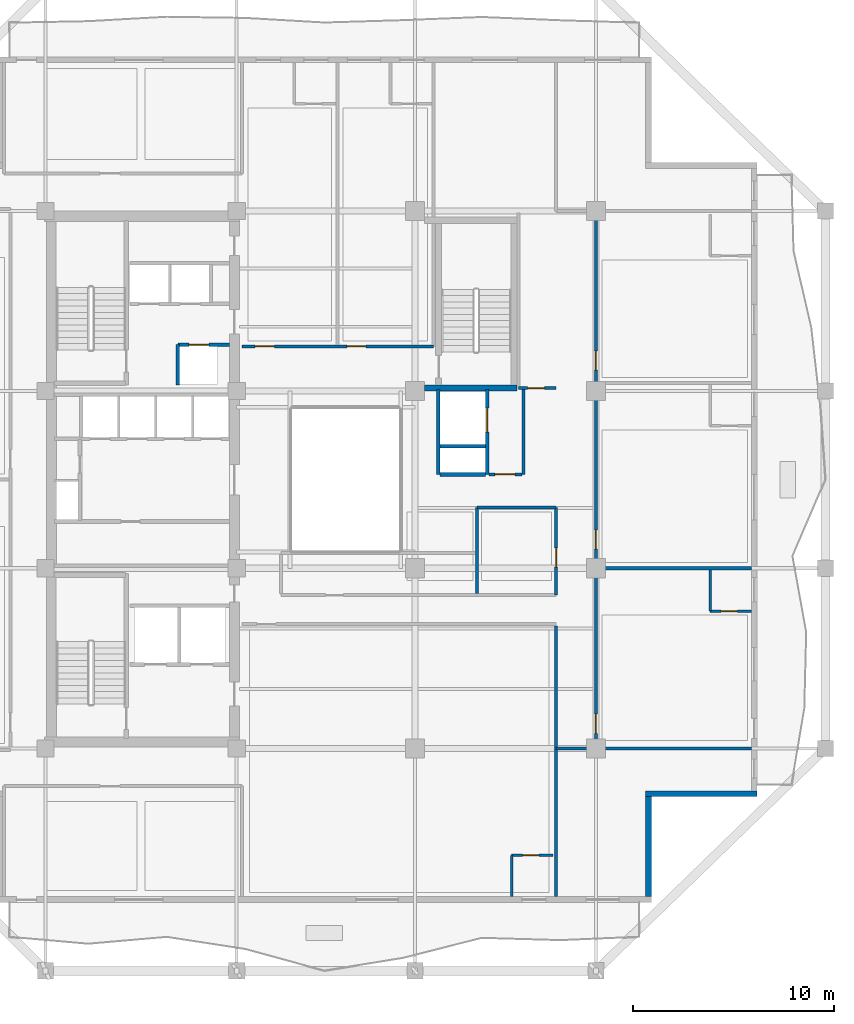
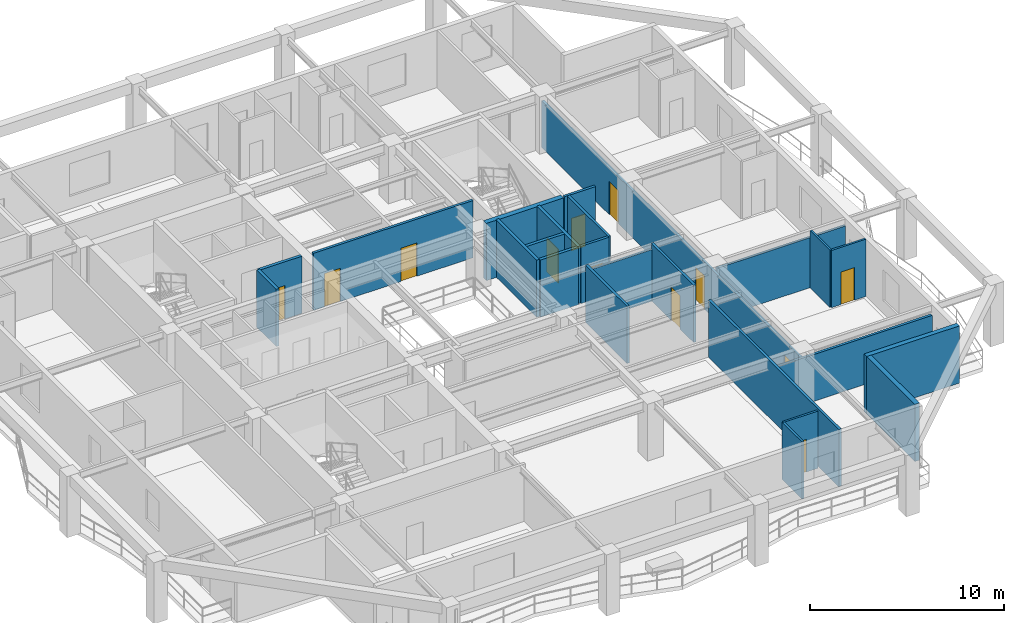
# One storey, part 4 of 12: 24 walls, 12 doors, 12 openings.
"""IFC4 building model written with IfcOpenShell, lengths in metres."""

from ifc_helpers import new_model, si_unit, direction, frame, frame_2d, origin, place, context, subcontext, project, spatial, rectangle, extrude, material, layer, layer_set, type_object, element, fill, save


model = new_model("IFC4")

# Units and contexts
model_context = context("Model", 3, precision=1e-05, world=origin(), true_north=direction((0.0, 1.0)))
body_context = subcontext(model_context, "Body", "Model", "MODEL_VIEW")
ifc_project = project(units=[si_unit("LENGTHUNIT", "METRE"), si_unit("AREAUNIT", "SQUARE_METRE"), si_unit("VOLUMEUNIT", "CUBIC_METRE"), si_unit("PLANEANGLEUNIT", "RADIAN"), si_unit("MASSUNIT", "GRAM", prefix="KILO")], contexts=[model_context])

# Site, building, storey
site_placement = place(None, origin())
site = spatial("IfcSite", under=ifc_project, at=site_placement, CompositionType="ELEMENT")
building_placement = place(site_placement, origin())
building = spatial("IfcBuilding", under=site, at=building_placement, Name="Kundavana Baori Tower", CompositionType="ELEMENT")
storey_placement = place(building_placement, frame((0.0, 0.0, 196.39990234375)))
storey = spatial("IfcBuildingStorey", under=building, at=storey_placement, Name="L48", CompositionType="ELEMENT", Elevation=196.39990234375)

# Walls
ifc_material_1 = material(Name="Red-Buff Dholpur Sandstone Cladding on Concrete C40/50", Category="masonry")
ifc_layer_1 = layer(ifc_material_1, 0.280029296875, Name="WL-EXT-SAND-280")
ifc_layer_set_1 = layer_set([ifc_layer_1], Name="Red-Buff Dholpur Sandstone Cladding on Concrete C40/50")
wall_type_1 = type_object("IfcWallType", Name="WL-EXT-SAND-280", PredefinedType="STANDARD", material=ifc_layer_set_1)
wall_1_placement = place(storey_placement, frame((45.409912109375, 7.8798828125, 0.0), z_axis=(0.0, 0.0, 1.0), x_axis=(0.0, 1.0, 0.0)))
element("IfcWall", 1, at=wall_1_placement, inside=storey, type_object=wall_type_1, Name="L48 Exterior Insulated Facade Wall 02", PredefinedType="STANDARD", context=body_context, shape_type="SweptSolid", body=[
    extrude(rectangle(XDim=4.97021484375, YDim=0.280029296875, at=frame_2d((2.485107421875, 0.0))), origin(), (0.0, 0.0, 1.0), 3.60009765625),
])
wall_2_placement = place(storey_placement, frame((45.27001953125, 12.989990234375, 0.0), z_axis=(0.0, 0.0, 1.0), x_axis=(1.0, 0.0, 0.0)))
element("IfcWall", 2, at=wall_2_placement, inside=storey, type_object=wall_type_1, Name="L48 Exterior Insulated Facade Wall 03", PredefinedType="STANDARD", context=body_context, shape_type="SweptSolid", body=[
    extrude(rectangle(XDim=5.530029296875, YDim=0.280029296875, at=frame_2d((2.76513671875, 0.0))), origin(), (0.0, 0.0, 1.0), 3.60009765625),
])
ifc_material_2 = material(Name="Fire-Rated Gypsum Drywall on Galvanised Steel Studs", Category="steel")
ifc_layer_2 = layer(ifc_material_2, 0.14990234375, Name="WL-PART-150")
ifc_layer_set_2 = layer_set([ifc_layer_2], Name="Fire-Rated Gypsum Drywall on Galvanised Steel Studs")
wall_type_2 = type_object("IfcWallType", Name="WL-PART-150", PredefinedType="PARTITIONING", material=ifc_layer_set_2)
wall_3_placement = place(storey_placement, frame((39.199951171875, 28.860107421875, 0.0), z_axis=(0.0, 0.0, 1.0), x_axis=(0.0, 1.0, 0.0)))
element("IfcWall", 3, at=wall_3_placement, inside=storey, type_object=wall_type_2, Name="WL-L48-SVLOB-E", PredefinedType="PARTITIONING", context=body_context, shape_type="SweptSolid", body=[
    extrude(rectangle(XDim=4.219970703125, YDim=0.14990234375, at=frame_2d((2.10986328125, 0.0))), origin(), (0.0, 0.0, 1.0), 3.60009765625),
])

# Wall, opening, door
wall_4_placement = place(storey_placement, frame((37.47998046875, 28.860107421875, 0.0), z_axis=(0.0, 0.0, 1.0), x_axis=(1.0, 0.0, 0.0)))
wall_4 = element("IfcWall", 4, at=wall_4_placement, inside=storey, type_object=wall_type_2, Name="WL-L48-SVLOB-S", PredefinedType="PARTITIONING", context=body_context, shape_type="SweptSolid", body=[
    extrude(rectangle(XDim=1.64013671875, YDim=0.14990234375, at=frame_2d((0.820068359375, 0.0))), origin(), (0.0, 0.0, 1.0), 3.60009765625),
])
opening_1_placement = place(wall_4_placement, frame((0.300048828125, 0.0, 0.0)))
opening_1 = element("IfcOpeningElement", 5, at=opening_1_placement, cuts=wall_4, Name="Opening FD-100", PredefinedType="OPENING", context=body_context, shape_type="SweptSolid", body=[
    extrude(rectangle(XDim=1.0, YDim=2.10009765625, at=frame_2d((0.5, 1.050048828125))), frame((0.0, 0.0849609375, 0.0), z_axis=(0.0, -1.0, 0.0), x_axis=(1.0, 0.0, 0.0)), (0.0, 0.0, 1.0), 0.169921875),
])
ifc_material_3 = material(Name="Engineered Teak Fire-Rated Timber Door Leaf", Category="wood")
door_type_1 = type_object("IfcDoorType", Name="DR-FD60-1000", OperationType="NOTDEFINED", PredefinedType="DOOR", material=ifc_material_3)
door_1_placement = place(opening_1_placement, origin())
door_1 = element("IfcDoor", 6, at=door_1_placement, inside=storey, type_object=door_type_1, Name="DR-L48-SVLOB-OUT", OperationType="SINGLE_SWING_LEFT", OverallHeight=2.10009765625, OverallWidth=1.0, PredefinedType="DOOR", context=body_context, shape_type="SweptSolid", body=[
    extrude(rectangle(XDim=1.0, YDim=2.10009765625, at=frame_2d((0.5, 1.050048828125))), frame((0.0, 0.02490234375, 0.0), z_axis=(0.0, -1.0, 0.0), x_axis=(1.0, 0.0, 0.0)), (0.0, 0.0, 1.0), 0.050048828125),
])
fill(opening_1, door_1)

# Wall, openings, doors
wall_5_placement = place(storey_placement, frame((25.219970703125, 35.219970703125, 0.0), z_axis=(0.0, 0.0, 1.0), x_axis=(1.0, 0.0, 0.0)))
wall_5 = element("IfcWall", 7, at=wall_5_placement, inside=storey, type_object=wall_type_2, Name="WL-L48-HN", PredefinedType="PARTITIONING", context=body_context, shape_type="SweptSolid", body=[
    extrude(rectangle(XDim=9.5, YDim=0.14990234375, at=frame_2d((4.75, 0.0))), origin(), (0.0, 0.0, 1.0), 3.60009765625),
])
opening_2_placement = place(wall_5_placement, frame((0.64990234375, 0.0, 0.0)))
opening_2 = element("IfcOpeningElement", 8, at=opening_2_placement, cuts=wall_5, Name="Opening FD-095", PredefinedType="OPENING", context=body_context, shape_type="SweptSolid", body=[
    extrude(rectangle(XDim=0.949951171875, YDim=2.10009765625, at=frame_2d((0.47509765625, 1.050048828125))), frame((0.0, 0.0849609375, 0.0), z_axis=(0.0, -1.0, 0.0), x_axis=(1.0, 0.0, 0.0)), (0.0, 0.0, 1.0), 0.169921875),
])
opening_3_placement = place(wall_5_placement, frame((5.199951171875, 0.0, 0.0)))
opening_3 = element("IfcOpeningElement", 9, at=opening_3_placement, cuts=wall_5, Name="Opening FD-095", PredefinedType="OPENING", context=body_context, shape_type="SweptSolid", body=[
    extrude(rectangle(XDim=0.949951171875, YDim=2.10009765625, at=frame_2d((0.47509765625, 1.050048828125))), frame((0.0, 0.0849609375, 0.0), z_axis=(0.0, -1.0, 0.0), x_axis=(1.0, 0.0, 0.0)), (0.0, 0.0, 1.0), 0.169921875),
])
ifc_material_4 = material(Name="Engineered Teak Fire-Rated Timber Door Leaf", Category="wood")
door_type_2 = type_object("IfcDoorType", Name="DR-FD60-950", OperationType="NOTDEFINED", PredefinedType="DOOR", material=ifc_material_4)
door_2_placement = place(opening_2_placement, origin())
door_2 = element("IfcDoor", 10, at=door_2_placement, inside=storey, type_object=door_type_2, Name="DR-L48-HK-N1-ENT", OperationType="SINGLE_SWING_LEFT", OverallHeight=2.10009765625, OverallWidth=0.949951171875, PredefinedType="DOOR", context=body_context, shape_type="SweptSolid", body=[
    extrude(rectangle(XDim=0.949951171875, YDim=2.10009765625, at=frame_2d((0.47509765625, 1.050048828125))), frame((0.0, 0.02490234375, 0.0), z_axis=(0.0, -1.0, 0.0), x_axis=(1.0, 0.0, 0.0)), (0.0, 0.0, 1.0), 0.050048828125),
])
fill(opening_2, door_2)
door_3_placement = place(opening_3_placement, origin())
door_3 = element("IfcDoor", 11, at=door_3_placement, inside=storey, type_object=door_type_2, Name="DR-L48-HK-N2-ENT", OperationType="SINGLE_SWING_RIGHT", OverallHeight=2.10009765625, OverallWidth=0.949951171875, PredefinedType="DOOR", context=body_context, shape_type="SweptSolid", body=[
    extrude(rectangle(XDim=0.949951171875, YDim=2.10009765625, at=frame_2d((0.47509765625, 1.050048828125))), frame((0.0, 0.02490234375, 0.0), z_axis=(0.0, -1.0, 0.0), x_axis=(1.0, 0.0, 0.0)), (0.0, 0.0, 1.0), 0.050048828125),
])
fill(opening_3, door_3)

wall_6_placement = place(storey_placement, frame((42.800048828125, 15.25, 0.0), z_axis=(0.0, 0.0, 1.0), x_axis=(0.0, 1.0, 0.0)))
wall_6 = element("IfcWall", 12, at=wall_6_placement, inside=storey, type_object=wall_type_2, Name="WL-L48-HE", PredefinedType="PARTITIONING", context=body_context, shape_type="SweptSolid", body=[
    extrude(rectangle(XDim=26.699951171875, YDim=0.14990234375, at=frame_2d((13.35009765625, 0.0))), origin(), (0.0, 0.0, 1.0), 2.9501953125),
])
opening_4_placement = place(wall_6_placement, frame((0.75, 0.0, 0.0)))
opening_4 = element("IfcOpeningElement", 13, at=opening_4_placement, cuts=wall_6, Name="Opening FD-095", PredefinedType="OPENING", context=body_context, shape_type="SweptSolid", body=[
    extrude(rectangle(XDim=0.949951171875, YDim=2.10009765625, at=frame_2d((0.47509765625, 1.050048828125))), frame((0.0, 0.0849609375, 0.0), z_axis=(0.0, -1.0, 0.0), x_axis=(1.0, 0.0, 0.0)), (0.0, 0.0, 1.0), 0.169921875),
])
opening_5_placement = place(wall_6_placement, frame((9.89990234375, 0.0, 0.0)))
opening_5 = element("IfcOpeningElement", 14, at=opening_5_placement, cuts=wall_6, Name="Opening FD-095", PredefinedType="OPENING", context=body_context, shape_type="SweptSolid", body=[
    extrude(rectangle(XDim=0.949951171875, YDim=2.10009765625, at=frame_2d((0.47509765625, 1.050048828125))), frame((0.0, 0.0849609375, 0.0), z_axis=(0.0, -1.0, 0.0), x_axis=(1.0, 0.0, 0.0)), (0.0, 0.0, 1.0), 0.169921875),
])
opening_6_placement = place(wall_6_placement, frame((18.800048828125, 0.0, 0.0)))
opening_6 = element("IfcOpeningElement", 15, at=opening_6_placement, cuts=wall_6, Name="Opening FD-095", PredefinedType="OPENING", context=body_context, shape_type="SweptSolid", body=[
    extrude(rectangle(XDim=0.949951171875, YDim=2.10009765625, at=frame_2d((0.47509765625, 1.050048828125))), frame((0.0, 0.0849609375, 0.0), z_axis=(0.0, -1.0, 0.0), x_axis=(1.0, 0.0, 0.0)), (0.0, 0.0, 1.0), 0.169921875),
])
door_4_placement = place(opening_4_placement, origin())
door_4 = element("IfcDoor", 16, at=door_4_placement, inside=storey, type_object=door_type_2, Name="DR-L48-HK-E1-ENT", OperationType="SINGLE_SWING_LEFT", OverallHeight=2.10009765625, OverallWidth=0.949951171875, PredefinedType="DOOR", context=body_context, shape_type="SweptSolid", body=[
    extrude(rectangle(XDim=0.949951171875, YDim=2.10009765625, at=frame_2d((0.47509765625, 1.050048828125))), frame((0.0, 0.02490234375, 0.0), z_axis=(0.0, -1.0, 0.0), x_axis=(1.0, 0.0, 0.0)), (0.0, 0.0, 1.0), 0.050048828125),
])
fill(opening_4, door_4)
door_5_placement = place(opening_5_placement, origin())
door_5 = element("IfcDoor", 17, at=door_5_placement, inside=storey, type_object=door_type_2, Name="DR-L48-HK-E2-ENT", OperationType="SINGLE_SWING_LEFT", OverallHeight=2.10009765625, OverallWidth=0.949951171875, PredefinedType="DOOR", context=body_context, shape_type="SweptSolid", body=[
    extrude(rectangle(XDim=0.949951171875, YDim=2.10009765625, at=frame_2d((0.47509765625, 1.050048828125))), frame((0.0, 0.02490234375, 0.0), z_axis=(0.0, -1.0, 0.0), x_axis=(1.0, 0.0, 0.0)), (0.0, 0.0, 1.0), 0.050048828125),
])
fill(opening_5, door_5)
door_6_placement = place(opening_6_placement, origin())
door_6 = element("IfcDoor", 18, at=door_6_placement, inside=storey, type_object=door_type_2, Name="DR-L48-HK-E3-ENT", OperationType="SINGLE_SWING_LEFT", OverallHeight=2.10009765625, OverallWidth=0.949951171875, PredefinedType="DOOR", context=body_context, shape_type="SweptSolid", body=[
    extrude(rectangle(XDim=0.949951171875, YDim=2.10009765625, at=frame_2d((0.47509765625, 1.050048828125))), frame((0.0, 0.02490234375, 0.0), z_axis=(0.0, -1.0, 0.0), x_axis=(1.0, 0.0, 0.0)), (0.0, 0.0, 1.0), 0.050048828125),
])
fill(opening_6, door_6)

# Wall
wall_7_placement = place(storey_placement, frame((40.820068359375, 15.25, 0.0), z_axis=(0.0, 0.0, 1.0), x_axis=(1.0, 0.0, 0.0)))
element("IfcWall", 19, at=wall_7_placement, inside=storey, type_object=wall_type_2, Name="WL-L48-HES", PredefinedType="PARTITIONING", context=body_context, shape_type="SweptSolid", body=[
    extrude(rectangle(XDim=9.699951171875, YDim=0.14990234375, at=frame_2d((4.85009765625, 0.0))), origin(), (0.0, 0.0, 1.0), 2.9501953125),
])

# Wall, opening, door
wall_8_placement = place(storey_placement, frame((40.820068359375, 22.860107421875, 0.0), z_axis=(0.0, 0.0, 1.0), x_axis=(0.0, 1.0, 0.0)))
wall_8 = element("IfcWall", 20, at=wall_8_placement, inside=storey, type_object=wall_type_2, Name="WL-L48-HEW", PredefinedType="PARTITIONING", context=body_context, shape_type="SweptSolid", body=[
    extrude(rectangle(XDim=4.35986328125, YDim=0.14990234375, at=frame_2d((2.179931640625, 0.0))), origin(), (0.0, 0.0, 1.0), 3.60009765625),
])
opening_7_placement = place(wall_8_placement, frame((1.39990234375, 0.0, 0.0)))
opening_7 = element("IfcOpeningElement", 21, at=opening_7_placement, cuts=wall_8, Name="Opening FD-095", PredefinedType="OPENING", context=body_context, shape_type="SweptSolid", body=[
    extrude(rectangle(XDim=0.949951171875, YDim=2.10009765625, at=frame_2d((0.47509765625, 1.050048828125))), frame((0.0, 0.0849609375, 0.0), z_axis=(0.0, -1.0, 0.0), x_axis=(1.0, 0.0, 0.0)), (0.0, 0.0, 1.0), 0.169921875),
])
door_7_placement = place(opening_7_placement, frame((0.949951171875, 0.0, 0.0), z_axis=(0.0, 0.0, 1.0), x_axis=(-1.0, 0.0, 0.0)))
door_7 = element("IfcDoor", 22, at=door_7_placement, inside=storey, type_object=door_type_2, Name="DR-L48-HSK", OperationType="SINGLE_SWING_RIGHT", OverallHeight=2.10009765625, OverallWidth=0.949951171875, PredefinedType="DOOR", context=body_context, shape_type="SweptSolid", body=[
    extrude(rectangle(XDim=0.949951171875, YDim=2.10009765625, at=frame_2d((0.47509765625, 1.050048828125))), frame((0.0, 0.02490234375, 0.0), z_axis=(0.0, -1.0, 0.0), x_axis=(1.0, 0.0, 0.0)), (0.0, 0.0, 1.0), 0.050048828125),
])
fill(opening_7, door_7)

# Walls
wall_9_placement = place(storey_placement, frame((36.89990234375, 27.219970703125, 0.0), z_axis=(0.0, 0.0, 1.0), x_axis=(1.0, 0.0, 0.0)))
element("IfcWall", 23, at=wall_9_placement, inside=storey, type_object=wall_type_2, Name="WL-L48-HKN", PredefinedType="PARTITIONING", context=body_context, shape_type="SweptSolid", body=[
    extrude(rectangle(XDim=3.920166015625, YDim=0.14990234375, at=frame_2d((1.9599609375, 0.0))), origin(), (0.0, 0.0, 1.0), 3.25),
])
wall_10_placement = place(storey_placement, frame((36.89990234375, 22.93994140625, 0.0), z_axis=(0.0, 0.0, 1.0), x_axis=(0.0, 1.0, 0.0)))
element("IfcWall", 24, at=wall_10_placement, inside=storey, type_object=wall_type_2, Name="WL-L48-HKD", PredefinedType="PARTITIONING", context=body_context, shape_type="SweptSolid", body=[
    extrude(rectangle(XDim=4.280029296875, YDim=0.14990234375, at=frame_2d((2.14013671875, 0.0))), origin(), (0.0, 0.0, 1.0), 3.60009765625),
])
wall_11_placement = place(storey_placement, frame((40.820068359375, 7.8798828125, 0.0), z_axis=(0.0, 0.0, 1.0), x_axis=(0.0, 1.0, 0.0)))
element("IfcWall", 25, at=wall_11_placement, inside=storey, type_object=wall_type_2, Name="WL-L48-HSEND", PredefinedType="PARTITIONING", context=body_context, shape_type="SweptSolid", body=[
    extrude(rectangle(XDim=13.460205078125, YDim=0.14990234375, at=frame_2d((6.72998046875, 0.0))), origin(), (0.0, 0.0, 1.0), 3.60009765625),
])
wall_12_placement = place(storey_placement, frame((42.8798828125, 24.199951171875, 0.0), z_axis=(0.0, 0.0, 1.0), x_axis=(1.0, 0.0, 0.0)))
element("IfcWall", 26, at=wall_12_placement, inside=storey, type_object=wall_type_2, Name="WL-L48-HED1", PredefinedType="PARTITIONING", context=body_context, shape_type="SweptSolid", body=[
    extrude(rectangle(XDim=7.64013671875, YDim=0.14990234375, at=frame_2d((3.820068359375, 0.0))), origin(), (0.0, 0.0, 1.0), 3.150146484375),
])

# Wall, opening, door
wall_13_placement = place(storey_placement, frame((38.949951171875, 33.14990234375, 0.0), z_axis=(0.0, 0.0, 1.0), x_axis=(1.0, 0.0, 0.0)))
wall_13 = element("IfcWall", 27, at=wall_13_placement, inside=storey, type_object=wall_type_2, Name="WL-L48-HNES", PredefinedType="PARTITIONING", context=body_context, shape_type="SweptSolid", body=[
    extrude(rectangle(XDim=1.8701171875, YDim=0.14990234375, at=frame_2d((0.93505859375, 0.0))), origin(), (0.0, 0.0, 1.0), 3.60009765625),
])
opening_8_placement = place(wall_13_placement, frame((0.449951171875, 0.0, 0.0)))
opening_8 = element("IfcOpeningElement", 28, at=opening_8_placement, cuts=wall_13, Name="Opening WD-085", PredefinedType="OPENING", context=body_context, shape_type="SweptSolid", body=[
    extrude(rectangle(XDim=0.85009765625, YDim=2.050048828125, at=frame_2d((0.425048828125, 1.02490234375))), frame((0.0, 0.0849609375, 0.0), z_axis=(0.0, -1.0, 0.0), x_axis=(1.0, 0.0, 0.0)), (0.0, 0.0, 1.0), 0.169921875),
])
ifc_material_5 = material(Name="Engineered Teak Solid-Core Timber Veneer", Category="wood")
door_type_3 = type_object("IfcDoorType", Name="DR-WET-850", OperationType="NOTDEFINED", PredefinedType="DOOR", material=ifc_material_5)
door_8_placement = place(opening_8_placement, origin())
door_8 = element("IfcDoor", 29, at=door_8_placement, inside=storey, type_object=door_type_3, Name="DR-L48-HLNE", OperationType="SINGLE_SWING_LEFT", OverallHeight=2.050048828125, OverallWidth=0.85009765625, PredefinedType="DOOR", context=body_context, shape_type="SweptSolid", body=[
    extrude(rectangle(XDim=0.85009765625, YDim=2.050048828125, at=frame_2d((0.425048828125, 1.02490234375))), frame((0.0, 0.02490234375, 0.0), z_axis=(0.0, -1.0, 0.0), x_axis=(1.0, 0.0, 0.0)), (0.0, 0.0, 1.0), 0.050048828125),
])
fill(opening_8, door_8)

ifc_material_6 = material(Name="Autoclaved Aerated Concrete Blockwork Masonry", Category="masonry")
ifc_layer_3 = layer(ifc_material_6, 0.179931640625, Name="WL-SHAFT-180")
ifc_layer_set_3 = layer_set([ifc_layer_3], Name="Autoclaved Aerated Concrete Blockwork Masonry")
wall_type_3 = type_object("IfcWallType", Name="WL-SHAFT-180", PredefinedType="SOLIDWALL", material=ifc_layer_set_3)
wall_14_placement = place(storey_placement, frame((22.02001953125, 35.31005859375, 0.0), z_axis=(0.0, 0.0, 1.0), x_axis=(1.0, 0.0, 0.0)))
wall_14 = element("IfcWall", 30, at=wall_14_placement, inside=storey, type_object=wall_type_3, Name="WL-L48-LP11-N", PredefinedType="SOLIDWALL", context=body_context, shape_type="SweptSolid", body=[
    extrude(rectangle(XDim=2.56005859375, YDim=0.179931640625, at=frame_2d((1.280029296875, 0.0))), origin(), (0.0, 0.0, 1.0), 3.60009765625),
])
opening_9_placement = place(wall_14_placement, frame((0.550048828125, 0.0, 0.0)))
opening_9 = element("IfcOpeningElement", 31, at=opening_9_placement, cuts=wall_14, Name="Opening LD-100", PredefinedType="OPENING", context=body_context, shape_type="SweptSolid", body=[
    extrude(rectangle(XDim=1.0, YDim=2.10009765625, at=frame_2d((0.5, 1.050048828125))), frame((0.0, 0.10009765625, 0.0), z_axis=(0.0, -1.0, 0.0), x_axis=(1.0, 0.0, 0.0)), (0.0, 0.0, 1.0), 0.199951171875),
])
ifc_material_7 = material(Name="Galvanised Steel Fire-Rated Door Leaf", Category="steel")
door_type_4 = type_object("IfcDoorType", Name="DR-SLIDE-LD1000", OperationType="NOTDEFINED", PredefinedType="DOOR", material=ifc_material_7)
door_9_placement = place(opening_9_placement, origin())
door_9 = element("IfcDoor", 32, at=door_9_placement, inside=storey, type_object=door_type_4, Name="DR-L48-LD-LP11", OperationType="DOUBLE_DOOR_SLIDING", OverallHeight=2.10009765625, OverallWidth=1.0, PredefinedType="DOOR", context=body_context, shape_type="SweptSolid", body=[
    extrude(rectangle(XDim=1.0, YDim=2.10009765625, at=frame_2d((0.5, 1.050048828125))), frame((0.0, 0.02490234375, 0.0), z_axis=(0.0, -1.0, 0.0), x_axis=(1.0, 0.0, 0.0)), (0.0, 0.0, 1.0), 0.050048828125),
])
fill(opening_9, door_9)

# Walls
wall_15_placement = place(storey_placement, frame((22.02001953125, 33.300048828125, 0.0), z_axis=(0.0, 0.0, 1.0), x_axis=(0.0, 1.0, 0.0)))
element("IfcWall", 33, at=wall_15_placement, inside=storey, type_object=wall_type_3, Name="WL-L48-LP11-W", PredefinedType="SOLIDWALL", context=body_context, shape_type="SweptSolid", body=[
    extrude(rectangle(XDim=2.010009765625, YDim=0.179931640625, at=frame_2d((1.0048828125, 0.0))), origin(), (0.0, 0.0, 1.0), 3.60009765625),
])
wall_16_placement = place(storey_placement, frame((34.9599609375, 28.860107421875, 0.0), z_axis=(0.0, 0.0, 1.0), x_axis=(0.0, 1.0, 0.0)))
element("IfcWall", 34, at=wall_16_placement, inside=storey, type_object=wall_type_3, Name="WL-L48-SVL-W", PredefinedType="SOLIDWALL", context=body_context, shape_type="SweptSolid", body=[
    extrude(rectangle(XDim=4.219970703125, YDim=0.179931640625, at=frame_2d((2.10986328125, 0.0))), origin(), (0.0, 0.0, 1.0), 3.60009765625),
])

# Wall, opening, door
wall_17_placement = place(storey_placement, frame((37.389892578125, 28.860107421875, 0.0), z_axis=(0.0, 0.0, 1.0), x_axis=(0.0, 1.0, 0.0)))
wall_17 = element("IfcWall", 35, at=wall_17_placement, inside=storey, type_object=wall_type_3, Name="WL-L48-SVL-E", PredefinedType="SOLIDWALL", context=body_context, shape_type="SweptSolid", body=[
    extrude(rectangle(XDim=4.219970703125, YDim=0.179931640625, at=frame_2d((2.10986328125, 0.0))), origin(), (0.0, 0.0, 1.0), 3.60009765625),
])
opening_10_placement = place(wall_17_placement, frame((2.10009765625, 0.0, 0.0)))
opening_10 = element("IfcOpeningElement", 36, at=opening_10_placement, cuts=wall_17, Name="Opening LD-120", PredefinedType="OPENING", context=body_context, shape_type="SweptSolid", body=[
    extrude(rectangle(XDim=1.199951171875, YDim=2.1201171875, at=frame_2d((0.60009765625, 1.06005859375))), frame((0.0, 0.10009765625, 0.0), z_axis=(0.0, -1.0, 0.0), x_axis=(1.0, 0.0, 0.0)), (0.0, 0.0, 1.0), 0.199951171875),
])
ifc_material_8 = material(Name="Galvanised Steel Fire-Rated Door Leaf", Category="steel")
door_type_5 = type_object("IfcDoorType", Name="DR-SLIDE-LD1200", OperationType="NOTDEFINED", PredefinedType="DOOR", material=ifc_material_8)
door_10_placement = place(opening_10_placement, frame((1.199951171875, 0.0, 0.0), z_axis=(0.0, 0.0, 1.0), x_axis=(-1.0, 0.0, 0.0)))
door_10 = element("IfcDoor", 37, at=door_10_placement, inside=storey, type_object=door_type_5, Name="DR-L48-LD-SVL1", OperationType="DOUBLE_DOOR_SLIDING", OverallHeight=2.1201171875, OverallWidth=1.199951171875, PredefinedType="DOOR", context=body_context, shape_type="SweptSolid", body=[
    extrude(rectangle(XDim=1.199951171875, YDim=2.1201171875, at=frame_2d((0.60009765625, 1.06005859375))), frame((0.0, 0.02490234375, 0.0), z_axis=(0.0, -1.0, 0.0), x_axis=(1.0, 0.0, 0.0)), (0.0, 0.0, 1.0), 0.050048828125),
])
fill(opening_10, door_10)

# Walls
for number, where, z_axis, x_axis, name in (
    (38, (35.050048828125, 28.860107421875, 0.0), (0.0, 0.0, 1.0), (1.0, 0.0, 0.0), "WL-L48-SVL-S"),
    (39, (35.050048828125, 30.27001953125, 0.0), (0.0, 0.0, 1.0), (1.0, 0.0, 0.0), "WL-L48-SVL-M"),
):
    element("IfcWall", number, at=place(storey_placement, frame(where, z_axis=z_axis, x_axis=x_axis)), inside=storey, type_object=wall_type_3, Name=name, PredefinedType="SOLIDWALL", context=body_context, shape_type="SweptSolid", body=[
        extrude(rectangle(XDim=2.25, YDim=0.179931640625, at=frame_2d((1.125, 0.0))), origin(), (0.0, 0.0, 1.0), 3.60009765625),
    ])
ifc_material_9 = material(Name="Concrete C50/60", Category="concrete")
ifc_layer_4 = layer(ifc_material_9, 0.300048828125, Name="WL-ST3-300")
ifc_layer_set_4 = layer_set([ifc_layer_4], Name="Concrete C50/60")
wall_type_4 = type_object("IfcWallType", Name="WL-ST3-300", PredefinedType="SHEAR", material=ifc_layer_set_4)
wall_18_placement = place(storey_placement, frame((34.27490234375, 33.159912109375, 0.0), z_axis=(0.0, 0.0, 1.0), x_axis=(1.0, 0.0, 0.0)))
element("IfcWall", 40, at=wall_18_placement, inside=storey, type_object=wall_type_4, Name="L48 Stair ST3 South Shear Wall", PredefinedType="SHEAR", context=body_context, shape_type="SweptSolid", body=[
    extrude(rectangle(XDim=4.59521484375, YDim=0.300048828125, at=frame_2d((2.297607421875, 0.0))), origin(), (0.0, 0.0, 1.0), 3.60009765625),
])
ifc_material_10 = material(Name="Autoclaved Aerated Concrete Blockwork Masonry", Category="masonry")
ifc_layer_5 = layer(ifc_material_10, 0.125, Name="WL-WET-120")
ifc_layer_set_5 = layer_set([ifc_layer_5], Name="Autoclaved Aerated Concrete Blockwork Masonry")
wall_type_5 = type_object("IfcWallType", Name="WL-WET-120", PredefinedType="PLUMBINGWALL", material=ifc_layer_set_5)
wall_19_placement = place(storey_placement, frame((38.610107421875, 7.8798828125, 0.0), z_axis=(0.0, 0.0, 1.0), x_axis=(0.0, 1.0, 0.0)))
element("IfcWall", 41, at=wall_19_placement, inside=storey, type_object=wall_type_5, Name="WL-L48-HK-S1-BW", PredefinedType="PLUMBINGWALL", context=body_context, shape_type="SweptSolid", body=[
    extrude(rectangle(XDim=2.050048828125, YDim=0.125, at=frame_2d((1.02490234375, 0.0))), origin(), (0.0, 0.0, 1.0), 3.60009765625),
])

# Wall, opening, door
wall_20_placement = place(storey_placement, frame((38.610107421875, 9.929931640625, 0.0), z_axis=(0.0, 0.0, 1.0), x_axis=(1.0, 0.0, 0.0)))
wall_20 = element("IfcWall", 42, at=wall_20_placement, inside=storey, type_object=wall_type_5, Name="WL-L48-HK-S1-BN", PredefinedType="PLUMBINGWALL", context=body_context, shape_type="SweptSolid", body=[
    extrude(rectangle(XDim=2.0498046875, YDim=0.125, at=frame_2d((1.02490234375, 0.0))), origin(), (0.0, 0.0, 1.0), 3.60009765625),
])
opening_11_placement = place(wall_20_placement, frame((0.550048828125, 0.0, 0.0)))
opening_11 = element("IfcOpeningElement", 43, at=opening_11_placement, cuts=wall_20, Name="Opening WD-080", PredefinedType="OPENING", context=body_context, shape_type="SweptSolid", body=[
    extrude(rectangle(XDim=0.800048828125, YDim=2.050048828125, at=frame_2d((0.39990234375, 1.02490234375))), frame((0.0, 0.072509765625, 0.0), z_axis=(0.0, -1.0, 0.0), x_axis=(1.0, 0.0, 0.0)), (0.0, 0.0, 1.0), 0.14501953125),
])
ifc_material_11 = material(Name="Engineered Teak Solid-Core Timber Veneer", Category="wood")
door_type_6 = type_object("IfcDoorType", Name="DR-WET-800", OperationType="NOTDEFINED", PredefinedType="DOOR", material=ifc_material_11)
door_11_placement = place(opening_11_placement, origin())
door_11 = element("IfcDoor", 44, at=door_11_placement, inside=storey, type_object=door_type_6, Name="DR-L48-HK-S1-ENS", OperationType="SINGLE_SWING_LEFT", OverallHeight=2.050048828125, OverallWidth=0.800048828125, PredefinedType="DOOR", context=body_context, shape_type="SweptSolid", body=[
    extrude(rectangle(XDim=0.800048828125, YDim=2.050048828125, at=frame_2d((0.39990234375, 1.02490234375))), frame((0.0, 0.02490234375, 0.0), z_axis=(0.0, -1.0, 0.0), x_axis=(1.0, 0.0, 0.0)), (0.0, 0.0, 1.0), 0.050048828125),
])
fill(opening_11, door_11)

# Wall
wall_21_placement = place(storey_placement, frame((48.469970703125, 22.070068359375, 0.0), z_axis=(0.0, 0.0, 1.0), x_axis=(0.0, 1.0, 0.0)))
element("IfcWall", 45, at=wall_21_placement, inside=storey, type_object=wall_type_5, Name="WL-L48-HK-E1-BW", PredefinedType="PLUMBINGWALL", context=body_context, shape_type="SweptSolid", body=[
    extrude(rectangle(XDim=2.050048828125, YDim=0.125, at=frame_2d((1.02490234375, 0.0))), origin(), (0.0, 0.0, 1.0), 3.60009765625),
])

# Wall, opening, door
wall_22_placement = place(storey_placement, frame((48.469970703125, 22.070068359375, 0.0), z_axis=(0.0, 0.0, 1.0), x_axis=(1.0, 0.0, 0.0)))
wall_22 = element("IfcWall", 46, at=wall_22_placement, inside=storey, type_object=wall_type_5, Name="WL-L48-HK-E1-BS", PredefinedType="PLUMBINGWALL", context=body_context, shape_type="SweptSolid", body=[
    extrude(rectangle(XDim=2.050048828125, YDim=0.125, at=frame_2d((1.02490234375, 0.0))), origin(), (0.0, 0.0, 1.0), 3.60009765625),
])
opening_12_placement = place(wall_22_placement, frame((0.550048828125, 0.0, 0.0)))
opening_12 = element("IfcOpeningElement", 47, at=opening_12_placement, cuts=wall_22, Name="Opening WD-080", PredefinedType="OPENING", context=body_context, shape_type="SweptSolid", body=[
    extrude(rectangle(XDim=0.800048828125, YDim=2.050048828125, at=frame_2d((0.39990234375, 1.02490234375))), frame((0.0, 0.072509765625, 0.0), z_axis=(0.0, -1.0, 0.0), x_axis=(1.0, 0.0, 0.0)), (0.0, 0.0, 1.0), 0.14501953125),
])
door_12_placement = place(opening_12_placement, frame((0.800048828125, 0.0, 0.0), z_axis=(0.0, 0.0, 1.0), x_axis=(-1.0, 0.0, 0.0)))
door_12 = element("IfcDoor", 48, at=door_12_placement, inside=storey, type_object=door_type_6, Name="DR-L48-HK-E1-ENS", OperationType="SINGLE_SWING_LEFT", OverallHeight=2.050048828125, OverallWidth=0.800048828125, PredefinedType="DOOR", context=body_context, shape_type="SweptSolid", body=[
    extrude(rectangle(XDim=0.800048828125, YDim=2.050048828125, at=frame_2d((0.39990234375, 1.02490234375))), frame((0.0, 0.02490234375, 0.0), z_axis=(0.0, -1.0, 0.0), x_axis=(1.0, 0.0, 0.0)), (0.0, 0.0, 1.0), 0.050048828125),
])
fill(opening_12, door_12)

save(model, "model.ifc")
